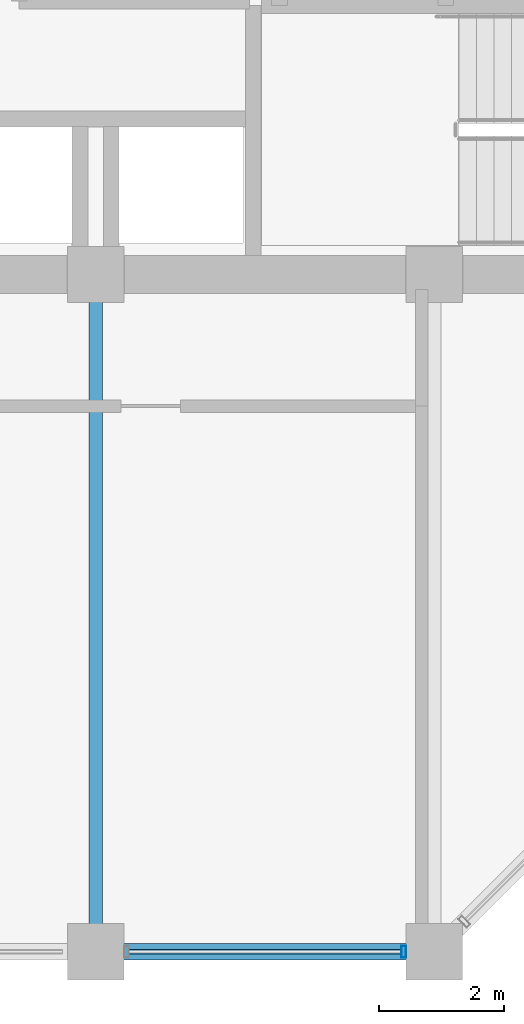
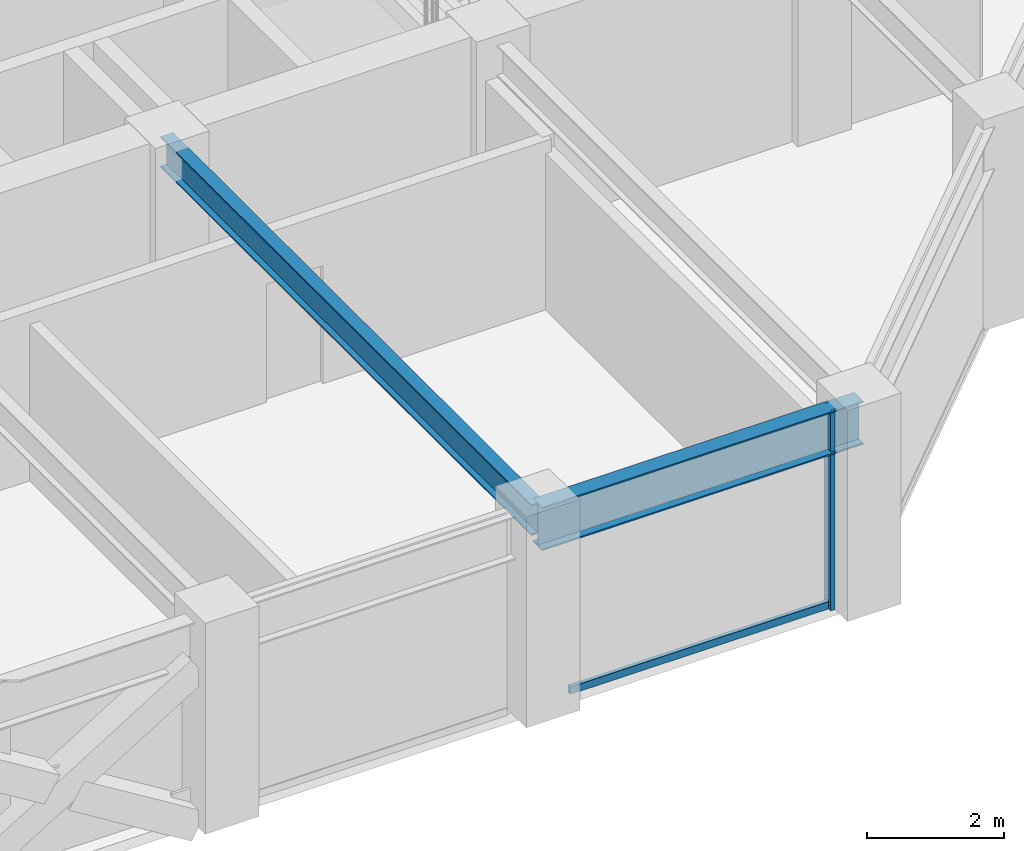
# One storey, part 7 of 32: 2 beams, 2 members, 1 element without a shape of its own.
"""IFC4 building model written with IfcOpenShell, lengths in metres."""

from ifc_helpers import new_model, si_unit, direction, frame, origin, origin_2d, place, context, subcontext, project, spatial, hollow_rectangle, i_section, extrude, material, layer, layer_set, material_profile, profile_set, type_object, element, aggregate, save


model = new_model("IFC4")

# Units and contexts
model_context = context("Model", 3, precision=1e-05, world=origin(), true_north=direction((0.0, 1.0)))
body_context = subcontext(model_context, "Body", "Model", "MODEL_VIEW")
ifc_project = project(units=[si_unit("LENGTHUNIT", "METRE"), si_unit("AREAUNIT", "SQUARE_METRE"), si_unit("VOLUMEUNIT", "CUBIC_METRE"), si_unit("PLANEANGLEUNIT", "RADIAN"), si_unit("MASSUNIT", "GRAM", prefix="KILO")], contexts=[model_context])

# Site, building, storey
site_placement = place(None, origin())
site = spatial("IfcSite", under=ifc_project, at=site_placement, CompositionType="ELEMENT")
building_placement = place(site_placement, origin())
building = spatial("IfcBuilding", under=site, at=building_placement, Name="Surkhivell Harbour Commons", CompositionType="ELEMENT")
storey_placement = place(building_placement, frame((0.0, 0.0, 204.75)))
storey = spatial("IfcBuildingStorey", under=building, at=storey_placement, Name="L53", CompositionType="ELEMENT", Elevation=204.75)

# Beams
ifc_material_1 = material(Name="Steel S355", Category="steel")
ifc_material_profile_1 = material_profile(ifc_material_1, i_section(OverallWidth=0.2119140625, OverallDepth=0.5439453125, WebThickness=0.0126953125, FlangeThickness=0.021240234375, at=origin_2d()), Name="UB533x210x122")
ifc_profile_set_1 = profile_set([ifc_material_profile_1], Name="Steel S355")
beam_type_1 = type_object("IfcBeamType", Name="BM-GRD-533A", PredefinedType="BEAM", material=ifc_profile_set_1)
beam_1_placement = place(storey_placement, frame((0.0, -21.60009765625, 3.298095703125), z_axis=(0.0, 1.0, 0.0), x_axis=(-1.0, 0.0, 0.0)))
element("IfcBeam", 1, at=beam_1_placement, inside=storey, type_object=beam_type_1, Name="L53 Floor Girder (0.0,-21.6)", PredefinedType="BEAM", context=body_context, shape_type="SweptSolid", body=[
    extrude(i_section(OverallWidth=0.2119140625, OverallDepth=0.5439453125, WebThickness=0.0126953125, FlangeThickness=0.021240234375, at=origin_2d()), origin(), (0.0, 0.0, 1.0), 10.800048828125),
])
ifc_material_profile_2 = material_profile(ifc_material_1, i_section(OverallWidth=0.26806640625, OverallDepth=0.77001953125, WebThickness=0.015625, FlangeThickness=0.025390625, at=origin_2d()), Name="UB762x267x197")
ifc_profile_set_2 = profile_set([ifc_material_profile_2], Name="Steel S355")
beam_type_2 = type_object("IfcBeamType", Name="BM-SPN-762", PredefinedType="SPANDREL", material=ifc_profile_set_2)
beam_2_placement = place(storey_placement, frame((0.0, -21.60009765625, 3.18505859375), z_axis=(1.0, 0.0, 0.0), x_axis=(0.0, 1.0, 0.0)))
element("IfcBeam", 2, at=beam_2_placement, inside=storey, type_object=beam_type_2, Name="L53 Tube Spandrel (-0.0,-21.6)", PredefinedType="SPANDREL", context=body_context, shape_type="SweptSolid", body=[
    extrude(i_section(OverallWidth=0.26806640625, OverallDepth=0.77001953125, WebThickness=0.015625, FlangeThickness=0.025390625, at=origin_2d()), origin(), (0.0, 0.0, 1.0), 5.39990234375),
])

# Curtain wall, members
ifc_material_2 = material(Name="Anodised pale-metal aluminium and insulated glazing", Category="aluminium")
ifc_layer = layer(ifc_material_2, 0.18994140625)
ifc_layer_set = layer_set([ifc_layer], Name="Anodised pale-metal aluminium and insulated glazing")
curtain_wall_type = type_object("IfcCurtainWallType", Name="CW-SYS-Z3", PredefinedType="NOTDEFINED", material=ifc_layer_set)
curtain_wall_placement = place(storey_placement, origin())
curtain_wall = element("IfcCurtainWall", 3, at=curtain_wall_placement, inside=storey, type_object=curtain_wall_type, Name="L53 Curtain Wall CW-L53-E00S2", PredefinedType="NOTDEFINED")
ifc_material_3 = material(Name="Anodised pale-metal aluminium alloy 6063-T6", Category="aluminium")
ifc_material_profile_3 = material_profile(ifc_material_3, hollow_rectangle(XDim=0.074951171875, YDim=0.18994140625, WallThickness=0.00390625, at=origin_2d()), Name="ALU-MULL-75x190")
ifc_profile_set_3 = profile_set([ifc_material_profile_3], Name="Anodised pale-metal aluminium alloy 6063-T6")
member_type_1 = type_object("IfcMemberType", Name="CWM-190", PredefinedType="MULLION", material=ifc_profile_set_3)
member_1_placement = place(storey_placement, frame((4.910400390625, -21.60009765625, 0.0), z_axis=(0.0, 0.0, 1.0), x_axis=(1.0, 0.0, 0.0)))
member_1 = element("IfcMember", 4, at=member_1_placement, type_object=member_type_1, Name="CW-Z3 mullion 3", PredefinedType="MULLION", context=body_context, shape_type="SweptSolid", body=[
    extrude(hollow_rectangle(XDim=0.074951171875, YDim=0.18994140625, WallThickness=0.00390625, at=origin_2d()), origin(), (0.0, 0.0, 1.0), 3.570068359375),
])
ifc_material_4 = material(Name="Champagne anodised aluminium alloy 6063-T6", Category="aluminium")
ifc_material_profile_4 = material_profile(ifc_material_4, hollow_rectangle(XDim=0.070068359375, YDim=0.1298828125, WallThickness=0.00341796875, at=origin_2d()), Name="ALU-TRAN-70x130")
ifc_profile_set_4 = profile_set([ifc_material_profile_4], Name="Champagne anodised aluminium alloy 6063-T6")
member_type_2 = type_object("IfcMemberType", Name="CWT-130", PredefinedType="USERDEFINED", material=ifc_profile_set_4)
member_2_placement = place(storey_placement, frame((0.527099609375, -21.60009765625, 0.06494140625), z_axis=(1.0, 0.0, 0.0), x_axis=(0.0, 1.0, 0.0)))
member_2 = element("IfcMember", 5, at=member_2_placement, type_object=member_type_2, Name="CW-Z3 transom 2.1", ObjectType="TRANSOM", PredefinedType="USERDEFINED", context=body_context, shape_type="SweptSolid", body=[
    extrude(hollow_rectangle(XDim=0.070068359375, YDim=0.1298828125, WallThickness=0.00341796875, at=origin_2d()), origin(), (0.0, 0.0, 1.0), 4.345947265625),
])
aggregate(curtain_wall, [member_1, member_2])

save(model, "model.ifc")
